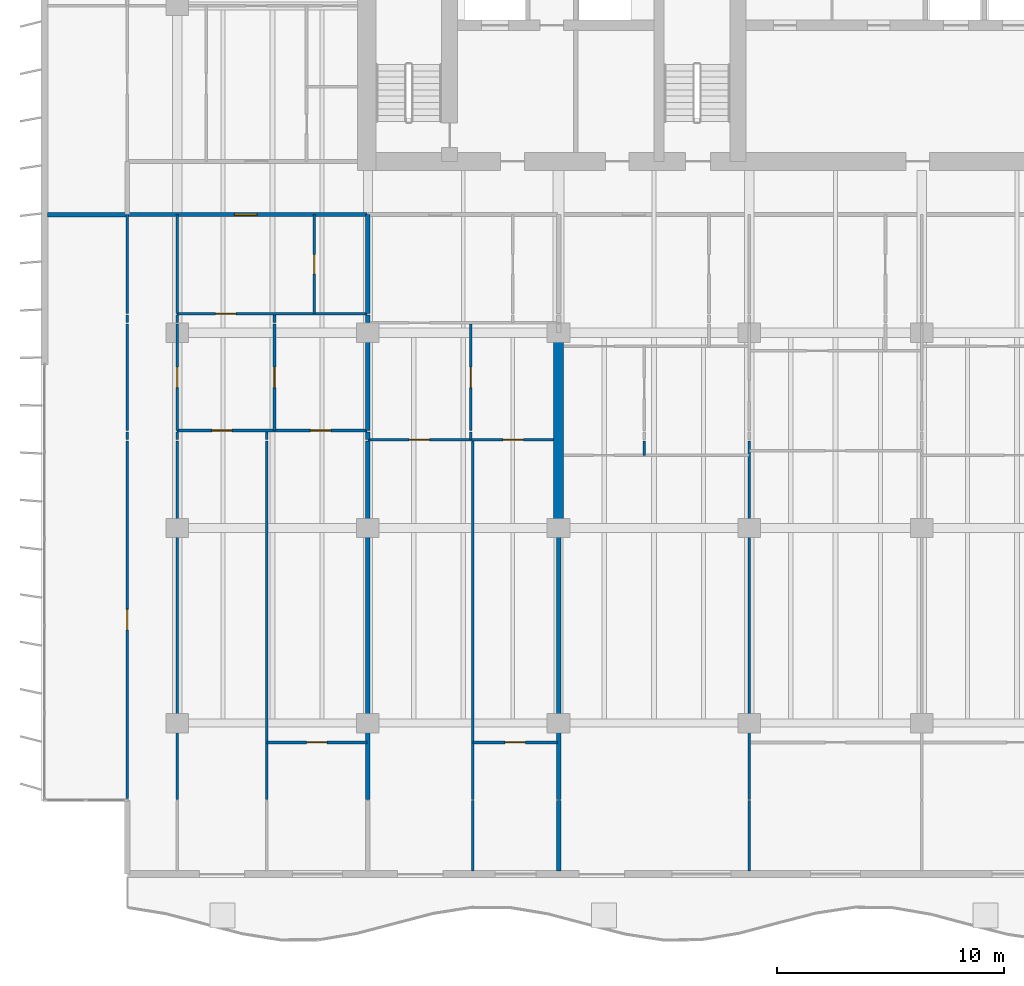
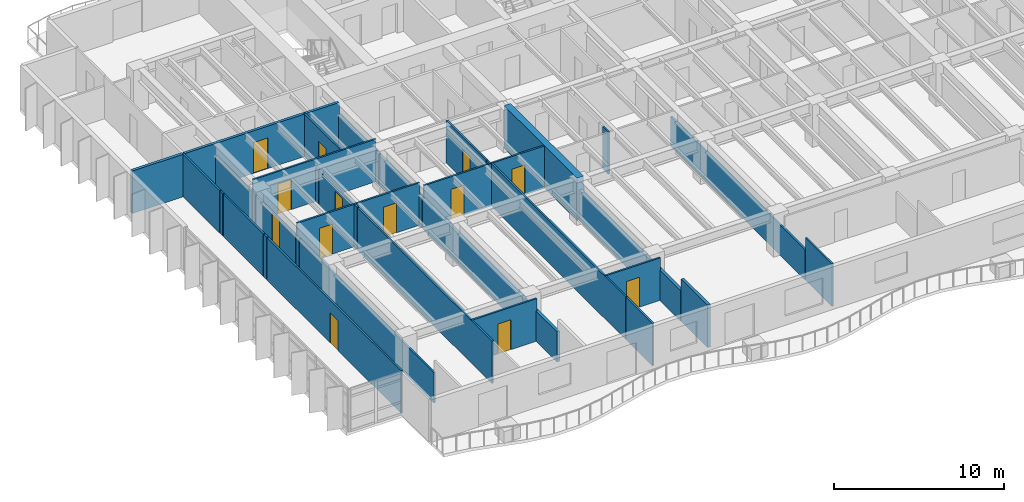
# One storey, part 6 of 17: 37 walls, 13 doors, 13 openings.
"""IFC4 building model written with IfcOpenShell, lengths in metres."""

from ifc_helpers import new_model, si_unit, direction, frame, frame_2d, origin, place, context, subcontext, project, spatial, rectangle, extrude, material, layer, layer_set, type_object, element, fill, save


model = new_model("IFC4")

# Units and contexts
model_context = context("Model", 3, precision=1e-05, world=origin(), true_north=direction((0.0, 1.0)))
body_context = subcontext(model_context, "Body", "Model", "MODEL_VIEW")
ifc_project = project(units=[si_unit("LENGTHUNIT", "METRE"), si_unit("AREAUNIT", "SQUARE_METRE"), si_unit("VOLUMEUNIT", "CUBIC_METRE"), si_unit("PLANEANGLEUNIT", "RADIAN"), si_unit("MASSUNIT", "GRAM", prefix="KILO")], contexts=[model_context])

# Site, building, storey
site_placement = place(None, origin())
site = spatial("IfcSite", under=ifc_project, at=site_placement, CompositionType="ELEMENT")
building_placement = place(site_placement, origin())
building = spatial("IfcBuilding", under=site, at=building_placement, Name="Caelmar Bay Residences", CompositionType="ELEMENT")
storey_placement = place(building_placement, frame((0.0, 0.0, 109.199951171875)))
storey = spatial("IfcBuildingStorey", under=building, at=storey_placement, Name="L29", CompositionType="ELEMENT", Elevation=109.199951171875)

# Wall
ifc_material_1 = material(Name="Concrete f'c 55 MPa (8,000 psi)", Category="concrete")
ifc_layer_1 = layer(ifc_material_1, 0.449951171875)
ifc_layer_set_1 = layer_set([ifc_layer_1], Name="Concrete f'c 55 MPa (8,000 psi)")
wall_type_1 = type_object("IfcWallType", Name="SW-XSLB-450", PredefinedType="SHEAR", material=ifc_layer_set_1)
wall_1_placement = place(storey_placement, frame((26.699951171875, 20.800048828125, 0.0), z_axis=(0.0, 0.0, 1.0), x_axis=(0.0, 1.0, 0.0)))
element("IfcWall", 1, at=wall_1_placement, inside=storey, type_object=wall_type_1, Name="L29 Transverse Cross-Slab Shear Wall W5", PredefinedType="SHEAR", context=body_context, shape_type="SweptSolid", body=[
    extrude(rectangle(XDim=8.599853515625, YDim=0.449951171875, at=frame_2d((4.2998046875, 0.0))), origin(), (0.0, 0.0, 1.0), 3.050048828125),
])

# Wall, opening, door
ifc_material_2 = material(Name="Double-stud acoustic fire-rated gypsum partition 180 mm")
ifc_layer_2 = layer(ifc_material_2, 0.179931640625)
ifc_layer_set_2 = layer_set([ifc_layer_2], Name="Double-stud acoustic fire-rated gypsum partition 180 mm")
wall_type_2 = type_object("IfcWallType", Name="W-COR-200", PredefinedType="PARTITIONING", material=ifc_layer_set_2)
wall_2_placement = place(storey_placement, frame((7.705078125, 34.60009765625, 0.0), z_axis=(0.0, 0.0, 1.0), x_axis=(1.0, 0.0, 0.0)))
wall_2 = element("IfcWall", 2, at=wall_2_placement, inside=storey, type_object=wall_type_2, Name="L29 Partition Wall H140", PredefinedType="PARTITIONING", context=body_context, shape_type="SweptSolid", body=[
    extrude(rectangle(XDim=10.544921875, YDim=0.179931640625, at=frame_2d((5.2724609375, 0.0))), origin(), (0.0, 0.0, 1.0), 3.050048828125),
])
opening_1_placement = place(wall_2_placement, frame((4.714111328125, 0.0, 0.0)))
opening_1 = element("IfcOpeningElement", 3, at=opening_1_placement, cuts=wall_2, Name="Opening D-L29-124", PredefinedType="OPENING", context=body_context, shape_type="SweptSolid", body=[
    extrude(rectangle(XDim=1.0, YDim=2.199951171875, at=frame_2d((0.5, 1.10009765625))), frame((0.0, 0.099853515625, 0.0), z_axis=(0.0, -1.0, 0.0), x_axis=(1.0, 0.0, 0.0)), (0.0, 0.0, 1.0), 0.199951171875),
])
ifc_material_3 = material(Name="Fire-rated steel and walnut architectural door assembly", Category="steel")
ifc_layer_3 = layer(ifc_material_3, 0.050048828125)
ifc_layer_set_3 = layer_set([ifc_layer_3], Name="Fire-rated steel and walnut architectural door assembly")
door_type_1 = type_object("IfcDoorType", Name="D-UNIT-1000", OperationType="NOTDEFINED", PredefinedType="DOOR", material=ifc_layer_set_3)
door_1_placement = place(opening_1_placement, origin())
door_1 = element("IfcDoor", 4, at=door_1_placement, inside=storey, type_object=door_type_1, Name="L29 Residence 01 Apartment Hall Door", OperationType="SINGLE_SWING_RIGHT", OverallHeight=2.199951171875, OverallWidth=1.0, PredefinedType="DOOR", context=body_context, shape_type="SweptSolid", body=[
    extrude(rectangle(XDim=1.0, YDim=2.199951171875, at=frame_2d((0.5, 1.10009765625))), frame((0.0, 0.02490234375, 0.0), z_axis=(0.0, -1.0, 0.0), x_axis=(1.0, 0.0, 0.0)), (0.0, 0.0, 1.0), 0.050048828125),
])
fill(opening_1, door_1)

ifc_material_4 = material(Name="Acoustic metal-stud gypsum partition 120 mm")
ifc_layer_4 = layer(ifc_material_4, 0.1201171875)
ifc_layer_set_4 = layer_set([ifc_layer_4], Name="Acoustic metal-stud gypsum partition 120 mm")
wall_type_3 = type_object("IfcWallType", Name="W-PRT-120", PredefinedType="PARTITIONING", material=ifc_layer_set_4)
wall_3_placement = place(storey_placement, frame((7.699951171875, 8.885009765625, 0.0), z_axis=(0.0, 0.0, 1.0), x_axis=(0.0, 1.0, 0.0)))
wall_3 = element("IfcWall", 5, at=wall_3_placement, inside=storey, type_object=wall_type_3, Name="L29 Partition Wall V001", PredefinedType="PARTITIONING", context=body_context, shape_type="SweptSolid", body=[
    extrude(rectangle(XDim=15.744873046875, YDim=0.1201171875, at=frame_2d((7.87255859375, 0.0))), origin(), (0.0, 0.0, 1.0), 3.050048828125),
])
opening_2_placement = place(wall_3_placement, frame((7.422607421875, 0.0, 0.0)))
opening_2 = element("IfcOpeningElement", 6, at=opening_2_placement, cuts=wall_3, Name="Opening D-L29-169", PredefinedType="OPENING", context=body_context, shape_type="SweptSolid", body=[
    extrude(rectangle(XDim=0.89990234375, YDim=2.14990234375, at=frame_2d((0.449951171875, 1.074951171875))), frame((0.0, 0.070068359375, 0.0), z_axis=(0.0, -1.0, 0.0), x_axis=(1.0, 0.0, 0.0)), (0.0, 0.0, 1.0), 0.14013671875),
])
ifc_material_5 = material(Name="Solid walnut timber interior door leaf and frame", Category="wood")
ifc_layer_5 = layer(ifc_material_5, 0.050048828125)
ifc_layer_set_5 = layer_set([ifc_layer_5], Name="Solid walnut timber interior door leaf and frame")
door_type_2 = type_object("IfcDoorType", Name="D-ROOM-900", OperationType="NOTDEFINED", PredefinedType="DOOR", material=ifc_layer_set_5)
door_2_placement = place(opening_2_placement, origin())
door_2 = element("IfcDoor", 7, at=door_2_placement, inside=storey, type_object=door_type_2, Name="L29 Residence 01 Penthouse West Salon Door", OperationType="SINGLE_SWING_LEFT", OverallHeight=2.14990234375, OverallWidth=0.89990234375, PredefinedType="DOOR", context=body_context, shape_type="SweptSolid", body=[
    extrude(rectangle(XDim=0.89990234375, YDim=2.14990234375, at=frame_2d((0.449951171875, 1.074951171875))), frame((0.0, 0.02490234375, 0.0), z_axis=(0.0, -1.0, 0.0), x_axis=(1.0, 0.0, 0.0)), (0.0, 0.0, 1.0), 0.050048828125),
])
fill(opening_2, door_2)

# Walls
wall_4_placement = place(storey_placement, frame((7.699951171875, 24.68994140625, 0.0), z_axis=(0.0, 0.0, 1.0), x_axis=(0.0, 1.0, 0.0)))
element("IfcWall", 8, at=wall_4_placement, inside=storey, type_object=wall_type_3, Name="L29 Partition Wall V002", PredefinedType="PARTITIONING", context=body_context, shape_type="SweptSolid", body=[
    extrude(rectangle(XDim=0.340087890625, YDim=0.1201171875, at=frame_2d((0.169921875, 0.0))), origin(), (0.0, 0.0, 1.0), 3.050048828125),
])
wall_5_placement = place(storey_placement, frame((7.699951171875, 25.090087890625, 0.0), z_axis=(0.0, 0.0, 1.0), x_axis=(0.0, 1.0, 0.0)))
element("IfcWall", 9, at=wall_5_placement, inside=storey, type_object=wall_type_3, Name="L29 Partition Wall V003", PredefinedType="PARTITIONING", context=body_context, shape_type="SweptSolid", body=[
    extrude(rectangle(XDim=4.68994140625, YDim=0.1201171875, at=frame_2d((2.344970703125, 0.0))), origin(), (0.0, 0.0, 1.0), 3.050048828125),
])
wall_6_placement = place(storey_placement, frame((7.699951171875, 29.840087890625, 0.0), z_axis=(0.0, 0.0, 1.0), x_axis=(0.0, 1.0, 0.0)))
element("IfcWall", 10, at=wall_6_placement, inside=storey, type_object=wall_type_3, Name="L29 Partition Wall V004", PredefinedType="PARTITIONING", context=body_context, shape_type="SweptSolid", body=[
    extrude(rectangle(XDim=0.33984375, YDim=0.1201171875, at=frame_2d((0.169921875, 0.0))), origin(), (0.0, 0.0, 1.0), 3.050048828125),
])
wall_7_placement = place(storey_placement, frame((7.699951171875, 30.239990234375, 0.0), z_axis=(0.0, 0.0, 1.0), x_axis=(0.0, 1.0, 0.0)))
element("IfcWall", 11, at=wall_7_placement, inside=storey, type_object=wall_type_3, Name="L29 Partition Wall V005", PredefinedType="PARTITIONING", context=body_context, shape_type="SweptSolid", body=[
    extrude(rectangle(XDim=4.360107421875, YDim=0.1201171875, at=frame_2d((2.18017578125, 0.0))), origin(), (0.0, 0.0, 1.0), 3.050048828125),
])
wall_8_placement = place(storey_placement, frame((9.89990234375, 8.840087890625, 0.0), z_axis=(0.0, 0.0, 1.0), x_axis=(0.0, 1.0, 0.0)))
element("IfcWall", 12, at=wall_8_placement, inside=storey, type_object=wall_type_3, Name="L29 Partition Wall V010", PredefinedType="PARTITIONING", context=body_context, shape_type="SweptSolid", body=[
    extrude(rectangle(XDim=15.789794921875, YDim=0.1201171875, at=frame_2d((7.89501953125, 0.0))), origin(), (0.0, 0.0, 1.0), 2.174072265625),
])
wall_9_placement = place(storey_placement, frame((9.89990234375, 24.68994140625, 0.0), z_axis=(0.0, 0.0, 1.0), x_axis=(0.0, 1.0, 0.0)))
element("IfcWall", 13, at=wall_9_placement, inside=storey, type_object=wall_type_3, Name="L29 Partition Wall V011", PredefinedType="PARTITIONING", context=body_context, shape_type="SweptSolid", body=[
    extrude(rectangle(XDim=0.340087890625, YDim=0.1201171875, at=frame_2d((0.169921875, 0.0))), origin(), (0.0, 0.0, 1.0), 2.174072265625),
])

# Wall, opening, door
wall_10_placement = place(storey_placement, frame((9.89990234375, 25.090087890625, 0.0), z_axis=(0.0, 0.0, 1.0), x_axis=(0.0, 1.0, 0.0)))
wall_10 = element("IfcWall", 14, at=wall_10_placement, inside=storey, type_object=wall_type_3, Name="L29 Partition Wall V012", PredefinedType="PARTITIONING", context=body_context, shape_type="SweptSolid", body=[
    extrude(rectangle(XDim=4.68994140625, YDim=0.1201171875, at=frame_2d((2.344970703125, 0.0))), origin(), (0.0, 0.0, 1.0), 2.174072265625),
])
opening_3_placement = place(wall_10_placement, frame((1.89501953125, 0.0, 0.0)))
opening_3 = element("IfcOpeningElement", 15, at=opening_3_placement, cuts=wall_10, Name="Opening D-L29-131", PredefinedType="OPENING", context=body_context, shape_type="SweptSolid", body=[
    extrude(rectangle(XDim=0.89990234375, YDim=2.1240234375, at=frame_2d((0.449951171875, 1.06201171875))), frame((0.0, 0.070068359375, 0.0), z_axis=(0.0, -1.0, 0.0), x_axis=(1.0, 0.0, 0.0)), (0.0, 0.0, 1.0), 0.14013671875),
])
door_3_placement = place(opening_3_placement, origin())
door_3 = element("IfcDoor", 16, at=door_3_placement, inside=storey, type_object=door_type_2, Name="L29 Residence 01 West Apartment Hall Door", OperationType="SINGLE_SWING_LEFT", OverallHeight=2.1240234375, OverallWidth=0.89990234375, PredefinedType="DOOR", context=body_context, shape_type="SweptSolid", body=[
    extrude(rectangle(XDim=0.89990234375, YDim=2.1240234375, at=frame_2d((0.449951171875, 1.06201171875))), frame((0.0, 0.02490234375, 0.0), z_axis=(0.0, -1.0, 0.0), x_axis=(1.0, 0.0, 0.0)), (0.0, 0.0, 1.0), 0.050048828125),
])
fill(opening_3, door_3)

# Walls
wall_11_placement = place(storey_placement, frame((9.89990234375, 29.840087890625, 0.0), z_axis=(0.0, 0.0, 1.0), x_axis=(0.0, 1.0, 0.0)))
element("IfcWall", 17, at=wall_11_placement, inside=storey, type_object=wall_type_3, Name="L29 Partition Wall V013", PredefinedType="PARTITIONING", context=body_context, shape_type="SweptSolid", body=[
    extrude(rectangle(XDim=0.33984375, YDim=0.1201171875, at=frame_2d((0.169921875, 0.0))), origin(), (0.0, 0.0, 1.0), 2.174072265625),
])
wall_12_placement = place(storey_placement, frame((9.89990234375, 30.239990234375, 0.0), z_axis=(0.0, 0.0, 1.0), x_axis=(0.0, 1.0, 0.0)))
element("IfcWall", 18, at=wall_12_placement, inside=storey, type_object=wall_type_3, Name="L29 Partition Wall V014", PredefinedType="PARTITIONING", context=body_context, shape_type="SweptSolid", body=[
    extrude(rectangle(XDim=4.360107421875, YDim=0.1201171875, at=frame_2d((2.18017578125, 0.0))), origin(), (0.0, 0.0, 1.0), 2.174072265625),
])
wall_13_placement = place(storey_placement, frame((13.847900390625, 8.840087890625, 0.0), z_axis=(0.0, 0.0, 1.0), x_axis=(0.0, 1.0, 0.0)))
element("IfcWall", 19, at=wall_13_placement, inside=storey, type_object=wall_type_3, Name="L29 Partition Wall V017", PredefinedType="PARTITIONING", context=body_context, shape_type="SweptSolid", body=[
    extrude(rectangle(XDim=15.789794921875, YDim=0.1201171875, at=frame_2d((7.89501953125, 0.0))), origin(), (0.0, 0.0, 1.0), 3.050048828125),
])
wall_14_placement = place(storey_placement, frame((13.847900390625, 24.68994140625, 0.0), z_axis=(0.0, 0.0, 1.0), x_axis=(0.0, 1.0, 0.0)))
element("IfcWall", 20, at=wall_14_placement, inside=storey, type_object=wall_type_3, Name="L29 Partition Wall V018", PredefinedType="PARTITIONING", context=body_context, shape_type="SweptSolid", body=[
    extrude(rectangle(XDim=0.340087890625, YDim=0.1201171875, at=frame_2d((0.169921875, 0.0))), origin(), (0.0, 0.0, 1.0), 3.050048828125),
])

# Wall, opening, door
wall_15_placement = place(storey_placement, frame((14.18603515625, 25.090087890625, 0.0), z_axis=(0.0, 0.0, 1.0), x_axis=(0.0, 1.0, 0.0)))
wall_15 = element("IfcWall", 21, at=wall_15_placement, inside=storey, type_object=wall_type_3, Name="L29 Partition Wall V019", PredefinedType="PARTITIONING", context=body_context, shape_type="SweptSolid", body=[
    extrude(rectangle(XDim=4.68994140625, YDim=0.1201171875, at=frame_2d((2.344970703125, 0.0))), origin(), (0.0, 0.0, 1.0), 2.486083984375),
])
opening_4_placement = place(wall_15_placement, frame((1.89501953125, 0.0, 0.0)))
opening_4 = element("IfcOpeningElement", 22, at=opening_4_placement, cuts=wall_15, Name="Opening D-L29-127", PredefinedType="OPENING", context=body_context, shape_type="SweptSolid", body=[
    extrude(rectangle(XDim=0.89990234375, YDim=2.14990234375, at=frame_2d((0.449951171875, 1.074951171875))), frame((0.0, 0.070068359375, 0.0), z_axis=(0.0, -1.0, 0.0), x_axis=(1.0, 0.0, 0.0)), (0.0, 0.0, 1.0), 0.14013671875),
])
door_4_placement = place(opening_4_placement, origin())
door_4 = element("IfcDoor", 23, at=door_4_placement, inside=storey, type_object=door_type_2, Name="L29 Residence 01 Formal Dining Room Door", OperationType="SINGLE_SWING_LEFT", OverallHeight=2.14990234375, OverallWidth=0.89990234375, PredefinedType="DOOR", context=body_context, shape_type="SweptSolid", body=[
    extrude(rectangle(XDim=0.89990234375, YDim=2.14990234375, at=frame_2d((0.449951171875, 1.074951171875))), frame((0.0, 0.02490234375, 0.0), z_axis=(0.0, -1.0, 0.0), x_axis=(1.0, 0.0, 0.0)), (0.0, 0.0, 1.0), 0.050048828125),
])
fill(opening_4, door_4)

# Wall
wall_16_placement = place(storey_placement, frame((14.18603515625, 29.840087890625, 0.0), z_axis=(0.0, 0.0, 1.0), x_axis=(0.0, 1.0, 0.0)))
element("IfcWall", 24, at=wall_16_placement, inside=storey, type_object=wall_type_3, Name="L29 Partition Wall V020", PredefinedType="PARTITIONING", context=body_context, shape_type="SweptSolid", body=[
    extrude(rectangle(XDim=0.33984375, YDim=0.1201171875, at=frame_2d((0.169921875, 0.0))), origin(), (0.0, 0.0, 1.0), 2.486083984375),
])

# Wall, opening, door
wall_17_placement = place(storey_placement, frame((15.93798828125, 30.239990234375, 0.0), z_axis=(0.0, 0.0, 1.0), x_axis=(0.0, 1.0, 0.0)))
wall_17 = element("IfcWall", 25, at=wall_17_placement, inside=storey, type_object=wall_type_3, Name="L29 Partition Wall V022", PredefinedType="PARTITIONING", context=body_context, shape_type="SweptSolid", body=[
    extrude(rectangle(XDim=4.360107421875, YDim=0.1201171875, at=frame_2d((2.18017578125, 0.0))), origin(), (0.0, 0.0, 1.0), 3.050048828125),
])
opening_5_placement = place(wall_17_placement, frame((1.7548828125, 0.0, 0.0)))
opening_5 = element("IfcOpeningElement", 26, at=opening_5_placement, cuts=wall_17, Name="Opening D-L29-125", PredefinedType="OPENING", context=body_context, shape_type="SweptSolid", body=[
    extrude(rectangle(XDim=0.85009765625, YDim=2.10009765625, at=frame_2d((0.425048828125, 1.050048828125))), frame((0.0, 0.070068359375, 0.0), z_axis=(0.0, -1.0, 0.0), x_axis=(1.0, 0.0, 0.0)), (0.0, 0.0, 1.0), 0.14013671875),
])
ifc_layer_6 = layer(ifc_material_5, 0.050048828125)
ifc_layer_set_6 = layer_set([ifc_layer_6], Name="Solid walnut timber interior door leaf and frame")
door_type_3 = type_object("IfcDoorType", Name="D-BATH-850", OperationType="NOTDEFINED", PredefinedType="DOOR", material=ifc_layer_set_6)
door_5_placement = place(opening_5_placement, origin())
door_5 = element("IfcDoor", 27, at=door_5_placement, inside=storey, type_object=door_type_3, Name="L29 Residence 01 Bathroom Door", OperationType="SINGLE_SWING_LEFT", OverallHeight=2.10009765625, OverallWidth=0.85009765625, PredefinedType="DOOR", context=body_context, shape_type="SweptSolid", body=[
    extrude(rectangle(XDim=0.85009765625, YDim=2.10009765625, at=frame_2d((0.425048828125, 1.050048828125))), frame((0.0, 0.02490234375, 0.0), z_axis=(0.0, -1.0, 0.0), x_axis=(1.0, 0.0, 0.0)), (0.0, 0.0, 1.0), 0.050048828125),
])
fill(opening_5, door_5)

# Wall
wall_18_placement = place(storey_placement, frame((22.8359375, 24.68994140625, 0.0), z_axis=(0.0, 0.0, 1.0), x_axis=(0.0, 1.0, 0.0)))
element("IfcWall", 28, at=wall_18_placement, inside=storey, type_object=wall_type_3, Name="L29 Partition Wall V030", PredefinedType="PARTITIONING", context=body_context, shape_type="SweptSolid", body=[
    extrude(rectangle(XDim=0.340087890625, YDim=0.1201171875, at=frame_2d((0.169921875, 0.0))), origin(), (0.0, 0.0, 1.0), 3.050048828125),
])

# Wall, opening, door
wall_19_placement = place(storey_placement, frame((22.8359375, 25.090087890625, 0.0), z_axis=(0.0, 0.0, 1.0), x_axis=(0.0, 1.0, 0.0)))
wall_19 = element("IfcWall", 29, at=wall_19_placement, inside=storey, type_object=wall_type_3, Name="L29 Partition Wall V031", PredefinedType="PARTITIONING", context=body_context, shape_type="SweptSolid", body=[
    extrude(rectangle(XDim=4.68994140625, YDim=0.1201171875, at=frame_2d((2.344970703125, 0.0))), origin(), (0.0, 0.0, 1.0), 3.050048828125),
])
opening_6_placement = place(wall_19_placement, frame((1.89501953125, 0.0, 0.0)))
opening_6 = element("IfcOpeningElement", 30, at=opening_6_placement, cuts=wall_19, Name="Opening D-L29-135", PredefinedType="OPENING", context=body_context, shape_type="SweptSolid", body=[
    extrude(rectangle(XDim=0.89990234375, YDim=2.14990234375, at=frame_2d((0.449951171875, 1.074951171875))), frame((0.0, 0.070068359375, 0.0), z_axis=(0.0, -1.0, 0.0), x_axis=(1.0, 0.0, 0.0)), (0.0, 0.0, 1.0), 0.14013671875),
])
door_6_placement = place(opening_6_placement, origin())
door_6 = element("IfcDoor", 31, at=door_6_placement, inside=storey, type_object=door_type_2, Name="L29 Residence 02 Formal Dining Room Door", OperationType="SINGLE_SWING_LEFT", OverallHeight=2.14990234375, OverallWidth=0.89990234375, PredefinedType="DOOR", context=body_context, shape_type="SweptSolid", body=[
    extrude(rectangle(XDim=0.89990234375, YDim=2.14990234375, at=frame_2d((0.449951171875, 1.074951171875))), frame((0.0, 0.02490234375, 0.0), z_axis=(0.0, -1.0, 0.0), x_axis=(1.0, 0.0, 0.0)), (0.0, 0.0, 1.0), 0.050048828125),
])
fill(opening_6, door_6)

# Walls
wall_20_placement = place(storey_placement, frame((22.919921875, 5.695068359375, 0.0), z_axis=(0.0, 0.0, 1.0), x_axis=(0.0, 1.0, 0.0)))
element("IfcWall", 32, at=wall_20_placement, inside=storey, type_object=wall_type_3, Name="L29 Partition Wall V032", PredefinedType="PARTITIONING", context=body_context, shape_type="SweptSolid", body=[
    extrude(rectangle(XDim=3.10498046875, YDim=0.1201171875, at=frame_2d((1.552490234375, 0.0))), origin(), (0.0, 0.0, 1.0), 3.050048828125),
])
wall_21_placement = place(storey_placement, frame((22.919921875, 8.840087890625, 0.0), z_axis=(0.0, 0.0, 1.0), x_axis=(0.0, 1.0, 0.0)))
element("IfcWall", 33, at=wall_21_placement, inside=storey, type_object=wall_type_3, Name="L29 Partition Wall V033", PredefinedType="PARTITIONING", context=body_context, shape_type="SweptSolid", body=[
    extrude(rectangle(XDim=15.789794921875, YDim=0.1201171875, at=frame_2d((7.89501953125, 0.0))), origin(), (0.0, 0.0, 1.0), 3.050048828125),
])
wall_22_placement = place(storey_placement, frame((30.47998046875, 24.0, 0.0), z_axis=(0.0, 0.0, 1.0), x_axis=(0.0, 1.0, 0.0)))
element("IfcWall", 34, at=wall_22_placement, inside=storey, type_object=wall_type_3, Name="L29 Partition Wall V045", PredefinedType="PARTITIONING", context=body_context, shape_type="SweptSolid", body=[
    extrude(rectangle(XDim=0.6298828125, YDim=0.1201171875, at=frame_2d((0.31494140625, 0.0))), origin(), (0.0, 0.0, 1.0), 3.050048828125),
])
wall_23_placement = place(storey_placement, frame((35.10009765625, 5.695068359375, 0.0), z_axis=(0.0, 0.0, 1.0), x_axis=(0.0, 1.0, 0.0)))
element("IfcWall", 35, at=wall_23_placement, inside=storey, type_object=wall_type_3, Name="L29 Partition Wall V052", PredefinedType="PARTITIONING", context=body_context, shape_type="SweptSolid", body=[
    extrude(rectangle(XDim=3.10498046875, YDim=0.1201171875, at=frame_2d((1.552490234375, 0.0))), origin(), (0.0, 0.0, 1.0), 3.050048828125),
])
wall_24_placement = place(storey_placement, frame((35.10009765625, 8.840087890625, 0.0), z_axis=(0.0, 0.0, 1.0), x_axis=(0.0, 1.0, 0.0)))
element("IfcWall", 36, at=wall_24_placement, inside=storey, type_object=wall_type_3, Name="L29 Partition Wall V053", PredefinedType="PARTITIONING", context=body_context, shape_type="SweptSolid", body=[
    extrude(rectangle(XDim=15.789794921875, YDim=0.1201171875, at=frame_2d((7.89501953125, 0.0))), origin(), (0.0, 0.0, 1.0), 2.174072265625),
])

# Wall, opening, door
wall_25_placement = place(storey_placement, frame((13.847900390625, 11.35009765625, 0.0), z_axis=(0.0, 0.0, 1.0), x_axis=(1.0, 0.0, 0.0)))
wall_25 = element("IfcWall", 37, at=wall_25_placement, inside=storey, type_object=wall_type_3, Name="L29 Partition Wall H120", PredefinedType="PARTITIONING", context=body_context, shape_type="SweptSolid", body=[
    extrude(rectangle(XDim=4.402099609375, YDim=0.1201171875, at=frame_2d((2.201171875, 0.0))), origin(), (0.0, 0.0, 1.0), 3.050048828125),
])
opening_7_placement = place(wall_25_placement, frame((1.7509765625, 0.0, 0.0)))
opening_7 = element("IfcOpeningElement", 38, at=opening_7_placement, cuts=wall_25, Name="Opening D-L29-130", PredefinedType="OPENING", context=body_context, shape_type="SweptSolid", body=[
    extrude(rectangle(XDim=0.89990234375, YDim=2.14990234375, at=frame_2d((0.449951171875, 1.074951171875))), frame((0.0, 0.070068359375, 0.0), z_axis=(0.0, -1.0, 0.0), x_axis=(1.0, 0.0, 0.0)), (0.0, 0.0, 1.0), 0.14013671875),
])
door_7_placement = place(opening_7_placement, origin())
door_7 = element("IfcDoor", 39, at=door_7_placement, inside=storey, type_object=door_type_2, Name="L29 Residence 01 Primary Bedroom Door", OperationType="SINGLE_SWING_RIGHT", OverallHeight=2.14990234375, OverallWidth=0.89990234375, PredefinedType="DOOR", context=body_context, shape_type="SweptSolid", body=[
    extrude(rectangle(XDim=0.89990234375, YDim=2.14990234375, at=frame_2d((0.449951171875, 1.074951171875))), frame((0.0, 0.02490234375, 0.0), z_axis=(0.0, -1.0, 0.0), x_axis=(1.0, 0.0, 0.0)), (0.0, 0.0, 1.0), 0.050048828125),
])
fill(opening_7, door_7)

wall_26_placement = place(storey_placement, frame((22.919921875, 11.35009765625, 0.0), z_axis=(0.0, 0.0, 1.0), x_axis=(1.0, 0.0, 0.0)))
wall_26 = element("IfcWall", 40, at=wall_26_placement, inside=storey, type_object=wall_type_3, Name="L29 Partition Wall H121", PredefinedType="PARTITIONING", context=body_context, shape_type="SweptSolid", body=[
    extrude(rectangle(XDim=3.72998046875, YDim=0.1201171875, at=frame_2d((1.864990234375, 0.0))), origin(), (0.0, 0.0, 1.0), 3.050048828125),
])
opening_8_placement = place(wall_26_placement, frame((1.4150390625, 0.0, 0.0)))
opening_8 = element("IfcOpeningElement", 41, at=opening_8_placement, cuts=wall_26, Name="Opening D-L29-138", PredefinedType="OPENING", context=body_context, shape_type="SweptSolid", body=[
    extrude(rectangle(XDim=0.89990234375, YDim=2.14990234375, at=frame_2d((0.449951171875, 1.074951171875))), frame((0.0, 0.070068359375, 0.0), z_axis=(0.0, -1.0, 0.0), x_axis=(1.0, 0.0, 0.0)), (0.0, 0.0, 1.0), 0.14013671875),
])
door_8_placement = place(opening_8_placement, origin())
door_8 = element("IfcDoor", 42, at=door_8_placement, inside=storey, type_object=door_type_2, Name="L29 Residence 02 Primary Bedroom Door", OperationType="SINGLE_SWING_RIGHT", OverallHeight=2.14990234375, OverallWidth=0.89990234375, PredefinedType="DOOR", context=body_context, shape_type="SweptSolid", body=[
    extrude(rectangle(XDim=0.89990234375, YDim=2.14990234375, at=frame_2d((0.449951171875, 1.074951171875))), frame((0.0, 0.02490234375, 0.0), z_axis=(0.0, -1.0, 0.0), x_axis=(1.0, 0.0, 0.0)), (0.0, 0.0, 1.0), 0.050048828125),
])
fill(opening_8, door_8)

# Wall, openings, doors
wall_27_placement = place(storey_placement, frame((18.300048828125, 24.68994140625, 0.0), z_axis=(0.0, 0.0, 1.0), x_axis=(1.0, 0.0, 0.0)))
wall_27 = element("IfcWall", 43, at=wall_27_placement, inside=storey, type_object=wall_type_3, Name="L29 Partition Wall H129", PredefinedType="PARTITIONING", context=body_context, shape_type="SweptSolid", body=[
    extrude(rectangle(XDim=8.179931640625, YDim=0.1201171875, at=frame_2d((4.08984375, 0.0))), origin(), (0.0, 0.0, 1.0), 3.050048828125),
])
opening_9_placement = place(wall_27_placement, frame((1.818115234375, 0.0, 0.0)))
opening_9 = element("IfcOpeningElement", 44, at=opening_9_placement, cuts=wall_27, Name="Opening D-L29-136", PredefinedType="OPENING", context=body_context, shape_type="SweptSolid", body=[
    extrude(rectangle(XDim=0.89990234375, YDim=2.14990234375, at=frame_2d((0.449951171875, 1.074951171875))), frame((0.0, 0.070068359375, 0.0), z_axis=(0.0, -1.0, 0.0), x_axis=(1.0, 0.0, 0.0)), (0.0, 0.0, 1.0), 0.14013671875),
])
opening_10_placement = place(wall_27_placement, frame((5.949951171875, 0.0, 0.0)))
opening_10 = element("IfcOpeningElement", 45, at=opening_10_placement, cuts=wall_27, Name="Opening D-L29-137", PredefinedType="OPENING", context=body_context, shape_type="SweptSolid", body=[
    extrude(rectangle(XDim=0.89990234375, YDim=2.14990234375, at=frame_2d((0.449951171875, 1.074951171875))), frame((0.0, 0.070068359375, 0.0), z_axis=(0.0, -1.0, 0.0), x_axis=(1.0, 0.0, 0.0)), (0.0, 0.0, 1.0), 0.14013671875),
])
door_9_placement = place(opening_9_placement, origin())
door_9 = element("IfcDoor", 46, at=door_9_placement, inside=storey, type_object=door_type_2, Name="L29 Residence 02 Penthouse Living Salon Door", OperationType="SINGLE_SWING_RIGHT", OverallHeight=2.14990234375, OverallWidth=0.89990234375, PredefinedType="DOOR", context=body_context, shape_type="SweptSolid", body=[
    extrude(rectangle(XDim=0.89990234375, YDim=2.14990234375, at=frame_2d((0.449951171875, 1.074951171875))), frame((0.0, 0.02490234375, 0.0), z_axis=(0.0, -1.0, 0.0), x_axis=(1.0, 0.0, 0.0)), (0.0, 0.0, 1.0), 0.050048828125),
])
fill(opening_9, door_9)
door_10_placement = place(opening_10_placement, origin())
door_10 = element("IfcDoor", 47, at=door_10_placement, inside=storey, type_object=door_type_2, Name="L29 Residence 02 Penthouse Sitting Room Door", OperationType="SINGLE_SWING_LEFT", OverallHeight=2.14990234375, OverallWidth=0.89990234375, PredefinedType="DOOR", context=body_context, shape_type="SweptSolid", body=[
    extrude(rectangle(XDim=0.89990234375, YDim=2.14990234375, at=frame_2d((0.449951171875, 1.074951171875))), frame((0.0, 0.02490234375, 0.0), z_axis=(0.0, -1.0, 0.0), x_axis=(1.0, 0.0, 0.0)), (0.0, 0.0, 1.0), 0.050048828125),
])
fill(opening_10, door_10)

wall_28_placement = place(storey_placement, frame((9.89990234375, 25.090087890625, 0.0), z_axis=(0.0, 0.0, 1.0), x_axis=(1.0, 0.0, 0.0)))
wall_28 = element("IfcWall", 48, at=wall_28_placement, inside=storey, type_object=wall_type_3, Name="L29 Partition Wall H131", PredefinedType="PARTITIONING", context=body_context, shape_type="SweptSolid", body=[
    extrude(rectangle(XDim=8.35009765625, YDim=0.1201171875, at=frame_2d((4.175048828125, 0.0))), origin(), (0.0, 0.0, 1.0), 3.050048828125),
])
opening_11_placement = place(wall_28_placement, frame((1.52392578125, 0.0, 0.0)))
opening_11 = element("IfcOpeningElement", 49, at=opening_11_placement, cuts=wall_28, Name="Opening D-L29-128", PredefinedType="OPENING", context=body_context, shape_type="SweptSolid", body=[
    extrude(rectangle(XDim=0.89990234375, YDim=2.14990234375, at=frame_2d((0.449951171875, 1.074951171875))), frame((0.0, 0.070068359375, 0.0), z_axis=(0.0, -1.0, 0.0), x_axis=(1.0, 0.0, 0.0)), (0.0, 0.0, 1.0), 0.14013671875),
])
opening_12_placement = place(wall_28_placement, frame((5.867919921875, 0.0, 0.0)))
opening_12 = element("IfcOpeningElement", 50, at=opening_12_placement, cuts=wall_28, Name="Opening D-L29-129", PredefinedType="OPENING", context=body_context, shape_type="SweptSolid", body=[
    extrude(rectangle(XDim=0.89990234375, YDim=2.14990234375, at=frame_2d((0.449951171875, 1.074951171875))), frame((0.0, 0.070068359375, 0.0), z_axis=(0.0, -1.0, 0.0), x_axis=(1.0, 0.0, 0.0)), (0.0, 0.0, 1.0), 0.14013671875),
])
door_11_placement = place(opening_11_placement, origin())
door_11 = element("IfcDoor", 51, at=door_11_placement, inside=storey, type_object=door_type_2, Name="L29 Residence 01 Penthouse Living Salon Door", OperationType="SINGLE_SWING_RIGHT", OverallHeight=2.14990234375, OverallWidth=0.89990234375, PredefinedType="DOOR", context=body_context, shape_type="SweptSolid", body=[
    extrude(rectangle(XDim=0.89990234375, YDim=2.14990234375, at=frame_2d((0.449951171875, 1.074951171875))), frame((0.0, 0.02490234375, 0.0), z_axis=(0.0, -1.0, 0.0), x_axis=(1.0, 0.0, 0.0)), (0.0, 0.0, 1.0), 0.050048828125),
])
fill(opening_11, door_11)
door_12_placement = place(opening_12_placement, origin())
door_12 = element("IfcDoor", 52, at=door_12_placement, inside=storey, type_object=door_type_2, Name="L29 Residence 01 Penthouse Sitting Room Door", OperationType="SINGLE_SWING_LEFT", OverallHeight=2.14990234375, OverallWidth=0.89990234375, PredefinedType="DOOR", context=body_context, shape_type="SweptSolid", body=[
    extrude(rectangle(XDim=0.89990234375, YDim=2.14990234375, at=frame_2d((0.449951171875, 1.074951171875))), frame((0.0, 0.02490234375, 0.0), z_axis=(0.0, -1.0, 0.0), x_axis=(1.0, 0.0, 0.0)), (0.0, 0.0, 1.0), 0.050048828125),
])
fill(opening_12, door_12)

# Wall, opening, door
wall_29_placement = place(storey_placement, frame((9.89990234375, 30.239990234375, 0.0), z_axis=(0.0, 0.0, 1.0), x_axis=(1.0, 0.0, 0.0)))
wall_29 = element("IfcWall", 53, at=wall_29_placement, inside=storey, type_object=wall_type_3, Name="L29 Partition Wall H138", PredefinedType="PARTITIONING", context=body_context, shape_type="SweptSolid", body=[
    extrude(rectangle(XDim=8.35009765625, YDim=0.1201171875, at=frame_2d((4.175048828125, 0.0))), origin(), (0.0, 0.0, 1.0), 3.050048828125),
])
opening_13_placement = place(wall_29_placement, frame((1.693115234375, 0.0, 0.0)))
opening_13 = element("IfcOpeningElement", 54, at=opening_13_placement, cuts=wall_29, Name="Opening D-L29-126", PredefinedType="OPENING", context=body_context, shape_type="SweptSolid", body=[
    extrude(rectangle(XDim=0.89990234375, YDim=2.14990234375, at=frame_2d((0.449951171875, 1.074951171875))), frame((0.0, 0.070068359375, 0.0), z_axis=(0.0, -1.0, 0.0), x_axis=(1.0, 0.0, 0.0)), (0.0, 0.0, 1.0), 0.14013671875),
])
door_13_placement = place(opening_13_placement, origin())
door_13 = element("IfcDoor", 55, at=door_13_placement, inside=storey, type_object=door_type_2, Name="L29 Residence 01 Kitchen Door", OperationType="SINGLE_SWING_RIGHT", OverallHeight=2.14990234375, OverallWidth=0.89990234375, PredefinedType="DOOR", context=body_context, shape_type="SweptSolid", body=[
    extrude(rectangle(XDim=0.89990234375, YDim=2.14990234375, at=frame_2d((0.449951171875, 1.074951171875))), frame((0.0, 0.02490234375, 0.0), z_axis=(0.0, -1.0, 0.0), x_axis=(1.0, 0.0, 0.0)), (0.0, 0.0, 1.0), 0.050048828125),
])
fill(opening_13, door_13)

# Walls
ifc_material_6 = material(Name="Acoustic twin-stud fire-rated inter-tenancy partition 200 mm")
ifc_layer_7 = layer(ifc_material_6, 0.199951171875)
ifc_layer_set_7 = layer_set([ifc_layer_7], Name="Acoustic twin-stud fire-rated inter-tenancy partition 200 mm")
wall_type_4 = type_object("IfcWallType", Name="W-PTY-200", PredefinedType="PARTITIONING", material=ifc_layer_set_7)
wall_30_placement = place(storey_placement, frame((18.300048828125, 8.840087890625, 0.0), z_axis=(0.0, 0.0, 1.0), x_axis=(0.0, 1.0, 0.0)))
element("IfcWall", 56, at=wall_30_placement, inside=storey, type_object=wall_type_4, Name="L29 Partition Wall V024", PredefinedType="PARTITIONING", context=body_context, shape_type="SweptSolid", body=[
    extrude(rectangle(XDim=15.789794921875, YDim=0.199951171875, at=frame_2d((7.89501953125, 0.0))), origin(), (0.0, 0.0, 1.0), 2.174072265625),
])
wall_31_placement = place(storey_placement, frame((18.300048828125, 24.68994140625, 0.0), z_axis=(0.0, 0.0, 1.0), x_axis=(0.0, 1.0, 0.0)))
element("IfcWall", 57, at=wall_31_placement, inside=storey, type_object=wall_type_4, Name="L29 Partition Wall V025", PredefinedType="PARTITIONING", context=body_context, shape_type="SweptSolid", body=[
    extrude(rectangle(XDim=0.340087890625, YDim=0.199951171875, at=frame_2d((0.169921875, 0.0))), origin(), (0.0, 0.0, 1.0), 2.174072265625),
])
wall_32_placement = place(storey_placement, frame((18.300048828125, 25.090087890625, 0.0), z_axis=(0.0, 0.0, 1.0), x_axis=(0.0, 1.0, 0.0)))
element("IfcWall", 58, at=wall_32_placement, inside=storey, type_object=wall_type_4, Name="L29 Partition Wall V026", PredefinedType="PARTITIONING", context=body_context, shape_type="SweptSolid", body=[
    extrude(rectangle(XDim=4.68994140625, YDim=0.199951171875, at=frame_2d((2.344970703125, 0.0))), origin(), (0.0, 0.0, 1.0), 2.174072265625),
])
wall_33_placement = place(storey_placement, frame((18.300048828125, 29.840087890625, 0.0), z_axis=(0.0, 0.0, 1.0), x_axis=(0.0, 1.0, 0.0)))
element("IfcWall", 59, at=wall_33_placement, inside=storey, type_object=wall_type_4, Name="L29 Partition Wall V027", PredefinedType="PARTITIONING", context=body_context, shape_type="SweptSolid", body=[
    extrude(rectangle(XDim=0.33984375, YDim=0.199951171875, at=frame_2d((0.169921875, 0.0))), origin(), (0.0, 0.0, 1.0), 2.174072265625),
])
wall_34_placement = place(storey_placement, frame((18.300048828125, 30.239990234375, 0.0), z_axis=(0.0, 0.0, 1.0), x_axis=(0.0, 1.0, 0.0)))
element("IfcWall", 60, at=wall_34_placement, inside=storey, type_object=wall_type_4, Name="L29 Partition Wall V028", PredefinedType="PARTITIONING", context=body_context, shape_type="SweptSolid", body=[
    extrude(rectangle(XDim=4.360107421875, YDim=0.199951171875, at=frame_2d((2.18017578125, 0.0))), origin(), (0.0, 0.0, 1.0), 2.174072265625),
])
wall_35_placement = place(storey_placement, frame((26.699951171875, 5.695068359375, 0.0), z_axis=(0.0, 0.0, 1.0), x_axis=(0.0, 1.0, 0.0)))
element("IfcWall", 61, at=wall_35_placement, inside=storey, type_object=wall_type_4, Name="L29 Partition Wall V038", PredefinedType="PARTITIONING", context=body_context, shape_type="SweptSolid", body=[
    extrude(rectangle(XDim=3.10498046875, YDim=0.199951171875, at=frame_2d((1.552490234375, 0.0))), origin(), (0.0, 0.0, 1.0), 3.050048828125),
])
wall_36_placement = place(storey_placement, frame((26.699951171875, 8.840087890625, 0.0), z_axis=(0.0, 0.0, 1.0), x_axis=(0.0, 1.0, 0.0)))
element("IfcWall", 62, at=wall_36_placement, inside=storey, type_object=wall_type_4, Name="L29 Partition Wall V039", PredefinedType="PARTITIONING", context=body_context, shape_type="SweptSolid", body=[
    extrude(rectangle(XDim=11.954833984375, YDim=0.199951171875, at=frame_2d((5.9775390625, 0.0))), origin(), (0.0, 0.0, 1.0), 2.174072265625),
])
wall_37_placement = place(storey_placement, frame((4.195068359375, 34.60009765625, 0.0), z_axis=(0.0, 0.0, 1.0), x_axis=(1.0, 0.0, 0.0)))
element("IfcWall", 63, at=wall_37_placement, inside=storey, type_object=wall_type_4, Name="L29 Partition Wall H139", PredefinedType="PARTITIONING", context=body_context, shape_type="SweptSolid", body=[
    extrude(rectangle(XDim=3.5048828125, YDim=0.199951171875, at=frame_2d((1.75244140625, 0.0))), origin(), (0.0, 0.0, 1.0), 3.050048828125),
])

save(model, "model.ifc")
